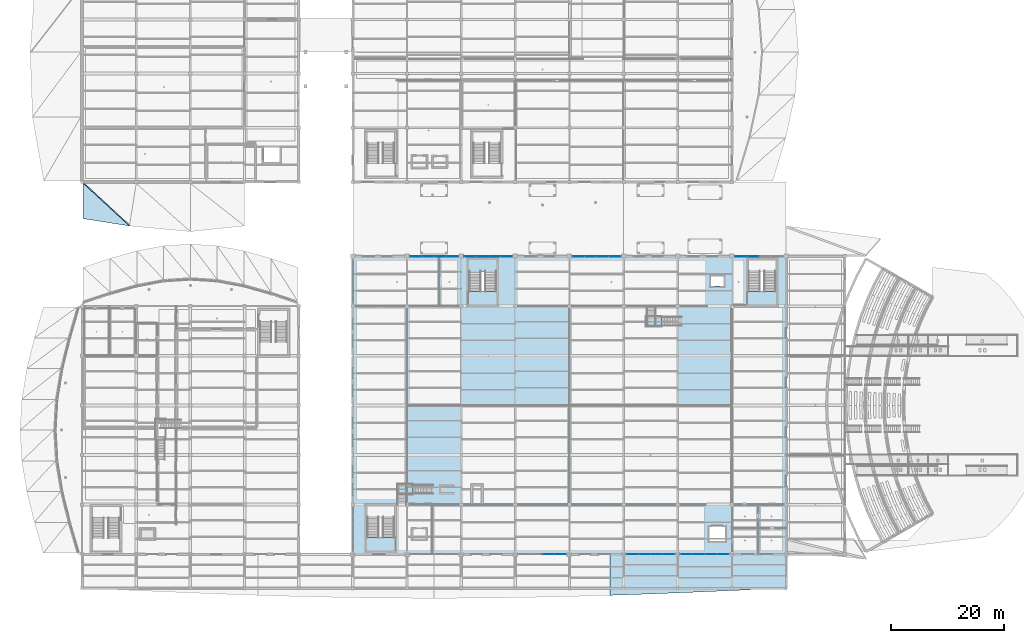
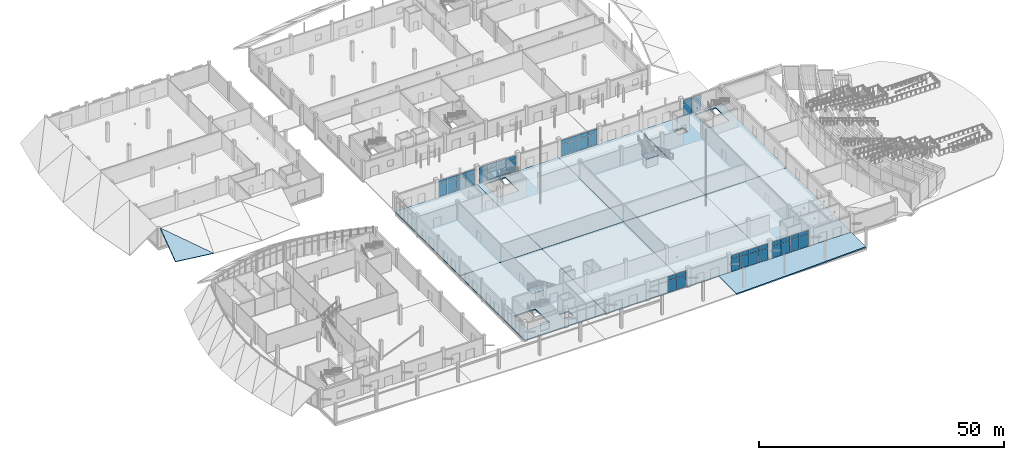
# One storey, part 67 of 116: 48 plates, 13 slabs, 10 elements without a shape of their own.
"""IFC4 building model written with IfcOpenShell, lengths in metres."""

import ifcopenshell
import ifcopenshell.guid

model = None  # the IFC model being written
_history = None  # IfcOwnerHistory: only IFC2X3 demands one
_inside = {}  # id of a spatial element -> (the spatial element, [elements in it])
_under = {}  # id of a project, library or spatial element -> (it, [spatial elements below it])
_declared = {}  # id of a project -> (the project, [libraries it declares])
_typed = {}  # id of a type object -> (the type object, [elements of that type])
_made_of = {}  # id of a material, layer set ... -> (it, [elements and type objects made of it])


def new_model(schema):
    """Start an empty IFC model of exactly this schema.

    Asked for "IFC4X3", IfcOpenShell would pick the latest addendum, in which some entities
    have other attributes; the version numbers below select the first issue.
    IFC2X3 requires an IfcOwnerHistory on every rooted entity: one is made here for all.
    """
    global model, _history
    if schema == "IFC4X3":
        model = ifcopenshell.file(schema_version=(4, 3, 0, 0))
    else:
        model = ifcopenshell.file(schema=schema)
    _inside.clear()
    _under.clear()
    _declared.clear()
    _typed.clear()
    _made_of.clear()
    _history = None
    if model.schema == "IFC2X3":
        org = make("IfcOrganization", Name="unknown")
        user = make(
            "IfcPersonAndOrganization",
            ThePerson=make("IfcPerson", FamilyName="unknown"),
            TheOrganization=org,
        )
        app = make(
            "IfcApplication",
            ApplicationDeveloper=org,
            Version="unknown",
            ApplicationFullName="unknown",
            ApplicationIdentifier="unknown",
        )
        _history = make(
            "IfcOwnerHistory",
            OwningUser=user,
            OwningApplication=app,
            ChangeAction="ADDED",
            CreationDate=0,
        )
    return model


def make(cls, **values):
    """One entity of the class cls with the attributes given. An attribute that is None is left unset."""
    return model.create_entity(
        cls, **{name: value for name, value in values.items() if value is not None}
    )


def rooted(cls, **values):
    """An entity with a GlobalId (a new one), such as an element, a storey or a relation."""
    return make(cls, GlobalId=ifcopenshell.guid.new(), OwnerHistory=_history, **values)


def si_unit(unit_type, name, prefix=None):
    """IfcSIUnit, for example si_unit("LENGTHUNIT", "METRE", prefix="MILLI")."""
    return make("IfcSIUnit", UnitType=unit_type, Prefix=prefix, Name=name)


def assignment(units):
    """IfcUnitAssignment: the units of a project."""
    return None if units is None else make("IfcUnitAssignment", Units=units)


def point(xyz):
    """IfcCartesianPoint."""
    return None if xyz is None else make("IfcCartesianPoint", Coordinates=xyz)


def direction(xyz):
    """IfcDirection."""
    return None if xyz is None else make("IfcDirection", DirectionRatios=xyz)


def frame(location, z_axis=None, x_axis=None):
    """IfcAxis2Placement3D, a coordinate frame: its origin and axes. An axis left out is left unset."""
    return make(
        "IfcAxis2Placement3D",
        Location=point(location),
        Axis=direction(z_axis),
        RefDirection=direction(x_axis),
    )


def frame_2d(location, x_axis=None):
    """IfcAxis2Placement2D, a coordinate frame in the plane: its origin and x axis."""
    return make(
        "IfcAxis2Placement2D", Location=point(location), RefDirection=direction(x_axis)
    )


def origin():
    """The frame at (0, 0, 0) with its axes left unset."""
    return frame((0.0, 0.0, 0.0))


def origin_2d():
    """The frame at (0, 0) in the plane with its x axis left unset."""
    return frame_2d((0.0, 0.0))


def place(relative_to, where):
    """IfcLocalPlacement: puts the frame where relative to a parent placement (None: the world)."""
    return make(
        "IfcLocalPlacement", PlacementRelTo=relative_to, RelativePlacement=where
    )


def context(
    kind, dimensions, precision=None, world=None, true_north=None, identifier=None
):
    """IfcGeometricRepresentationContext, for example the 3D "Model" context."""
    return make(
        "IfcGeometricRepresentationContext",
        ContextIdentifier=identifier,
        ContextType=kind,
        CoordinateSpaceDimension=dimensions,
        Precision=precision,
        WorldCoordinateSystem=world,
        TrueNorth=true_north,
    )


def subcontext(parent, identifier, kind, view, scale=None):
    """IfcGeometricRepresentationSubContext, for example "Body" below "Model"."""
    return make(
        "IfcGeometricRepresentationSubContext",
        ContextIdentifier=identifier,
        ContextType=kind,
        ParentContext=parent,
        TargetScale=scale,
        TargetView=view,
    )


def project(units=None, contexts=None):
    """IfcProject with its units and contexts."""
    return rooted(
        "IfcProject",
        Name="project",
        RepresentationContexts=contexts,
        UnitsInContext=assignment(units),
    )


def spatial(cls, under=None, at=None, **own):
    """A site, building, storey or space (cls), placed at a placement, below another one or the project."""
    s = rooted(cls, ObjectPlacement=at, **own)
    if under is not None:
        _under.setdefault(under.id(), (under, []))[1].append(s)
    return s


def polyline(points):
    """IfcPolyline through the points."""
    return make("IfcPolyline", Points=[point(p) for p in points])


def profile(cls, at=None, kind="AREA", **sizes):
    """A parametric profile (cls). Its sizes go by their IFC names, for example OverallWidth=200.0."""
    return make(cls, ProfileType=kind, Position=at, **sizes)


def rectangle(**sizes):
    """IfcRectangleProfileDef."""
    return profile("IfcRectangleProfileDef", **sizes)


def outline(outer, holes=None, kind="AREA"):
    """IfcArbitraryClosedProfileDef: a profile drawn as a closed curve; with holes, ...WithVoids."""
    if holes is None:
        return make("IfcArbitraryClosedProfileDef", ProfileType=kind, OuterCurve=outer)
    return make(
        "IfcArbitraryProfileDefWithVoids",
        ProfileType=kind,
        OuterCurve=outer,
        InnerCurves=holes,
    )


def extrude(swept, where, along, depth):
    """IfcExtrudedAreaSolid: the profile swept, set in the frame where, extruded along a direction by depth."""
    return make(
        "IfcExtrudedAreaSolid",
        SweptArea=swept,
        Position=where,
        ExtrudedDirection=direction(along),
        Depth=depth,
    )


def shape(context_of_items, identifier, shape_type, items):
    """IfcShapeRepresentation: the items that make up one representation, for example the "Body"."""
    return make(
        "IfcShapeRepresentation",
        ContextOfItems=context_of_items,
        RepresentationIdentifier=identifier,
        RepresentationType=shape_type,
        Items=items,
    )


def material(Name=None, Category=None):
    """IfcMaterial."""
    return make("IfcMaterial", Name=Name, Category=Category)


def layer(
    of_material, thickness, ventilated=None, Name=None, Category=None, Priority=None
):
    """IfcMaterialLayer: one layer of a wall or slab, of a material (None: an air gap)."""
    return make(
        "IfcMaterialLayer",
        Material=of_material,
        LayerThickness=thickness,
        IsVentilated=ventilated,
        Name=Name,
        Category=Category,
        Priority=Priority,
    )


def layer_set(layers, Name=None):
    """IfcMaterialLayerSet."""
    return make("IfcMaterialLayerSet", MaterialLayers=layers, LayerSetName=Name)


def made_of(thing, what):
    """Note that an element or type object is made of a material, layer set ...; save() writes the relation."""
    if what is not None:
        _made_of.setdefault(what.id(), (what, []))[1].append(thing)
    return thing


def type_object(cls, material=None, **own):
    """A type object (cls), such as IfcWallType, which elements share."""
    return made_of(rooted(cls, **own), material)


def element(
    cls,
    number,
    at=None,
    inside=None,
    cuts=None,
    type_object=None,
    material=None,
    context=None,
    identifier="Body",
    shape_type=None,
    held_by="IfcProductDefinitionShape",
    body=None,
    shapes=None,
    **own,
):
    """One element of the class cls, such as IfcWall. Its Tag is "e" and its number.

    at: its placement. inside: the storey or other place that contains it. cuts: it is an
    opening in that element (IfcRelVoidsElement). A single representation is given by context,
    identifier, shape_type and body (its items); several are given by shapes. held_by: the class
    of the entity that holds the representations. save() writes the other relations.
    """
    e = rooted(cls, Tag="e%d" % number, ObjectPlacement=at, **own)
    if body is not None:
        shapes = [shape(context, identifier, shape_type, body)]
    if shapes is not None:
        e.Representation = make(held_by, Representations=shapes)
    if inside is not None:
        _inside.setdefault(inside.id(), (inside, []))[1].append(e)
    if cuts is not None:
        rooted(
            "IfcRelVoidsElement", RelatingBuildingElement=cuts, RelatedOpeningElement=e
        )
    if type_object is not None:
        _typed.setdefault(type_object.id(), (type_object, []))[1].append(e)
    return made_of(e, material)


def aggregate(whole, parts):
    """IfcRelAggregates: a whole, such as a stair, and the parts it consists of."""
    return rooted("IfcRelAggregates", RelatingObject=whole, RelatedObjects=parts)


def save(model, path):
    """Write the relations noted so far, then the file.

    IfcRelAggregates (storeys below a building ...), IfcRelContainedInSpatialStructure (elements
    in a storey), IfcRelDefinesByType, IfcRelAssociatesMaterial and IfcRelDeclares: one each for
    every whole, place, type object, material and project.
    """
    for whole, parts in _under.values():
        aggregate(whole, parts)
    for where, things in _inside.values():
        rooted(
            "IfcRelContainedInSpatialStructure",
            RelatedElements=things,
            RelatingStructure=where,
        )
    for kind, things in _typed.values():
        rooted("IfcRelDefinesByType", RelatedObjects=things, RelatingType=kind)
    for what, things in _made_of.values():
        rooted("IfcRelAssociatesMaterial", RelatedObjects=things, RelatingMaterial=what)
    for by, libraries in _declared.values():
        rooted("IfcRelDeclares", RelatingContext=by, RelatedDefinitions=libraries)
    model.write(path)


model = new_model("IFC4")

# Units and contexts
model_context = context("Model", 3, precision=1e-05, world=origin(), true_north=direction((0.0, 1.0)))
body_context = subcontext(model_context, "Body", "Model", "MODEL_VIEW")
ifc_project = project(units=[si_unit("LENGTHUNIT", "METRE"), si_unit("AREAUNIT", "SQUARE_METRE"), si_unit("VOLUMEUNIT", "CUBIC_METRE"), si_unit("PLANEANGLEUNIT", "RADIAN"), si_unit("MASSUNIT", "GRAM", prefix="KILO")], contexts=[model_context])

# Site, building, storey
site_placement = place(None, origin())
site = spatial("IfcSite", under=ifc_project, at=site_placement, CompositionType="ELEMENT")
building_placement = place(site_placement, origin())
building = spatial("IfcBuilding", under=site, at=building_placement, Name="Chalmorin Arch Market", CompositionType="ELEMENT")
storey_placement = place(building_placement, origin())
storey = spatial("IfcBuildingStorey", under=building, at=storey_placement, Name="L00", CompositionType="ELEMENT", Elevation=0.0)

# Slabs
ifc_material_1 = material(Name="Concrete C40/50", Category="concrete")
ifc_layer_1 = layer(ifc_material_1, 0.340087890625)
ifc_layer_set_1 = layer_set([ifc_layer_1], Name="Concrete C40/50")
slab_type_1 = type_object("IfcSlabType", Name="GreenMoundDeckSlab-340", PredefinedType="FLOOR", material=ifc_layer_set_1)
slab_1_placement = place(storey_placement, frame((0.199951171875, 71.75, 4.780029296875), z_axis=(-0.093567142402, -0.590167063262, 0.801840400144), x_axis=(0.0, -0.805373596725, -0.592767551152)))
element("IfcSlab", 1, at=slab_1_placement, inside=storey, type_object=slab_type_1, Name="ETS-340-634", PredefinedType="FLOOR", context=body_context, shape_type="SweptSolid", body=[
    extrude(outline(polyline([(0.0, 0.0), (7.76037360228467, 5.551115123125783e-17), (8.80739860290953, 8.236083099672435), (0.0, 0.0)])), origin(), (0.0, 0.0, -1.0), 0.340087890625),
])
ifc_layer_2 = layer(ifc_material_1, 0.300048828125)
ifc_layer_set_2 = layer_set([ifc_layer_2], Name="Concrete C40/50")
slab_type_2 = type_object("IfcSlabType", Name="OutdoorPlazaBaseSlab-300", PredefinedType="BASESLAB", material=ifc_layer_set_2)
slab_2_placement = place(storey_placement, frame((0.0, 0.0, -0.300048828125)))
element("IfcSlab", 2, at=slab_2_placement, inside=storey, type_object=slab_type_2, Name="EBS-300-055", PredefinedType="BASESLAB", context=body_context, shape_type="SweptSolid", body=[
    extrude(outline(polyline([(93.610107421875, -1.27197265625), (97.507080078125, -1.14208984375), (101.405029296875, -1.0), (105.302978515625, -0.847900390625), (109.199951171875, -0.68896484375), (113.096923828125, -0.52294921875), (116.9951171875, -0.35107421875), (120.89306640625, -0.177001953125), (124.7900390625, 0.0), (124.7900390625, 5.97998046875), (93.610107421875, 5.97998046875), (93.610107421875, -1.27197265625)])), origin(), (0.0, 0.0, 1.0), 0.300048828125),
])

# Curtain wall, plates
ifc_material_2 = material(Name="Aluminium 6063-T6", Category="aluminium")
ifc_layer_3 = layer(ifc_material_2, 0.159912109375)
ifc_layer_set_3 = layer_set([ifc_layer_3], Name="Aluminium 6063-T6")
curtain_wall_type_1 = type_object("IfcCurtainWallType", Name="RiverfrontStorefrontCurtainWall-CW2-8580x4080", PredefinedType="NOTDEFINED", material=ifc_layer_set_3)
curtain_wall_1_placement = place(storey_placement, origin())
curtain_wall_1 = element("IfcCurtainWall", 3, at=curtain_wall_1_placement, inside=storey, type_object=curtain_wall_type_1, Name="CW-02-005", PredefinedType="NOTDEFINED")
ifc_material_3 = material(Name="Powder-coated Aluminium Panel", Category="aluminium")
ifc_layer_4 = layer(ifc_material_3, 0.0400390625)
ifc_layer_set_4 = layer_set([ifc_layer_4], Name="Powder-coated Aluminium Panel")
plate_type_1 = type_object("IfcPlateType", Name="ShadowboxSpandrelPanel-40", PredefinedType="CURTAIN_PANEL", material=ifc_layer_set_4)
plate_1_placement = place(storey_placement, frame((59.1826171875, 58.800048828125, 2.979736328125), z_axis=(0.0, 0.0, 1.0), x_axis=(1.0, 0.0, 0.0)))
plate_1 = element("IfcPlate", 4, at=plate_1_placement, type_object=plate_type_1, Name="SP-40-005-01B", PredefinedType="CURTAIN_PANEL", context=body_context, shape_type="SweptSolid", body=[
    extrude(rectangle(XDim=2.06494140625, YDim=0.0400390625, at=origin_2d()), origin(), (0.0, 0.0, 1.0), 1.0263671875),
])
plate_2_placement = place(storey_placement, frame((61.327392578125, 58.800048828125, 2.979736328125), z_axis=(0.0, 0.0, 1.0), x_axis=(1.0, 0.0, 0.0)))
plate_2 = element("IfcPlate", 5, at=plate_2_placement, type_object=plate_type_1, Name="SP-40-005-02B", PredefinedType="CURTAIN_PANEL", context=body_context, shape_type="SweptSolid", body=[
    extrude(rectangle(XDim=2.06494140625, YDim=0.0400390625, at=origin_2d()), origin(), (0.0, 0.0, 1.0), 1.0263671875),
])
plate_3_placement = place(storey_placement, frame((63.472412109375, 58.800048828125, 2.979736328125), z_axis=(0.0, 0.0, 1.0), x_axis=(1.0, 0.0, 0.0)))
plate_3 = element("IfcPlate", 6, at=plate_3_placement, type_object=plate_type_1, Name="SP-40-005-03B", PredefinedType="CURTAIN_PANEL", context=body_context, shape_type="SweptSolid", body=[
    extrude(rectangle(XDim=2.06494140625, YDim=0.0400390625, at=origin_2d()), origin(), (0.0, 0.0, 1.0), 1.0263671875),
])
plate_4_placement = place(storey_placement, frame((65.617431640625, 58.800048828125, 2.979736328125), z_axis=(0.0, 0.0, 1.0), x_axis=(1.0, 0.0, 0.0)))
plate_4 = element("IfcPlate", 7, at=plate_4_placement, type_object=plate_type_1, Name="SP-40-005-04B", PredefinedType="CURTAIN_PANEL", context=body_context, shape_type="SweptSolid", body=[
    extrude(rectangle(XDim=2.06494140625, YDim=0.0400390625, at=origin_2d()), origin(), (0.0, 0.0, 1.0), 1.0263671875),
])

curtain_wall_2_placement = place(storey_placement, origin())
curtain_wall_2 = element("IfcCurtainWall", 8, at=curtain_wall_2_placement, inside=storey, type_object=curtain_wall_type_1, Name="CW-02-008", PredefinedType="NOTDEFINED")
plate_5_placement = place(storey_placement, frame((68.782470703125, 58.800048828125, 2.979736328125), z_axis=(0.0, 0.0, 1.0), x_axis=(1.0, 0.0, 0.0)))
plate_5 = element("IfcPlate", 9, at=plate_5_placement, type_object=plate_type_1, Name="SP-40-008-01B", PredefinedType="CURTAIN_PANEL", context=body_context, shape_type="SweptSolid", body=[
    extrude(rectangle(XDim=2.06494140625, YDim=0.0400390625, at=origin_2d()), origin(), (0.0, 0.0, 1.0), 1.0263671875),
])
plate_6_placement = place(storey_placement, frame((70.927490234375, 58.800048828125, 2.979736328125), z_axis=(0.0, 0.0, 1.0), x_axis=(1.0, 0.0, 0.0)))
plate_6 = element("IfcPlate", 10, at=plate_6_placement, type_object=plate_type_1, Name="SP-40-008-02B", PredefinedType="CURTAIN_PANEL", context=body_context, shape_type="SweptSolid", body=[
    extrude(rectangle(XDim=2.06494140625, YDim=0.0400390625, at=origin_2d()), origin(), (0.0, 0.0, 1.0), 1.0263671875),
])
plate_7_placement = place(storey_placement, frame((73.072509765625, 58.800048828125, 2.979736328125), z_axis=(0.0, 0.0, 1.0), x_axis=(1.0, 0.0, 0.0)))
plate_7 = element("IfcPlate", 11, at=plate_7_placement, type_object=plate_type_1, Name="SP-40-008-03B", PredefinedType="CURTAIN_PANEL", context=body_context, shape_type="SweptSolid", body=[
    extrude(rectangle(XDim=2.06494140625, YDim=0.0400390625, at=origin_2d()), origin(), (0.0, 0.0, 1.0), 1.0263671875),
])
plate_8_placement = place(storey_placement, frame((75.217529296875, 58.800048828125, 2.979736328125), z_axis=(0.0, 0.0, 1.0), x_axis=(1.0, 0.0, 0.0)))
plate_8 = element("IfcPlate", 12, at=plate_8_placement, type_object=plate_type_1, Name="SP-40-008-04B", PredefinedType="CURTAIN_PANEL", context=body_context, shape_type="SweptSolid", body=[
    extrude(rectangle(XDim=2.06494140625, YDim=0.0400390625, at=origin_2d()), origin(), (0.0, 0.0, 1.0), 1.0263671875),
])

curtain_wall_3_placement = place(storey_placement, origin())
curtain_wall_3 = element("IfcCurtainWall", 13, at=curtain_wall_3_placement, inside=storey, type_object=curtain_wall_type_1, Name="CW-02-010", PredefinedType="NOTDEFINED")
plate_9_placement = place(storey_placement, frame((82.672607421875, 6.0, 2.979736328125), z_axis=(0.0, 0.0, 1.0), x_axis=(1.0, 0.0, 0.0)))
plate_9 = element("IfcPlate", 14, at=plate_9_placement, type_object=plate_type_1, Name="SP-40-010-03B", PredefinedType="CURTAIN_PANEL", context=body_context, shape_type="SweptSolid", body=[
    extrude(rectangle(XDim=2.06494140625, YDim=0.0400390625, at=origin_2d()), origin(), (0.0, 0.0, 1.0), 1.0263671875),
])
plate_10_placement = place(storey_placement, frame((84.8173828125, 6.0, 2.979736328125), z_axis=(0.0, 0.0, 1.0), x_axis=(1.0, 0.0, 0.0)))
plate_10 = element("IfcPlate", 15, at=plate_10_placement, type_object=plate_type_1, Name="SP-40-010-04B", PredefinedType="CURTAIN_PANEL", context=body_context, shape_type="SweptSolid", body=[
    extrude(rectangle(XDim=2.06494140625, YDim=0.0400390625, at=origin_2d()), origin(), (0.0, 0.0, 1.0), 1.0263671875),
])

curtain_wall_4_placement = place(storey_placement, origin())
curtain_wall_4 = element("IfcCurtainWall", 16, at=curtain_wall_4_placement, inside=storey, type_object=curtain_wall_type_1, Name="CW-02-014", PredefinedType="NOTDEFINED")
plate_11_placement = place(storey_placement, frame((87.982421875, 58.800048828125, 2.979736328125), z_axis=(0.0, 0.0, 1.0), x_axis=(1.0, 0.0, 0.0)))
plate_11 = element("IfcPlate", 17, at=plate_11_placement, type_object=plate_type_1, Name="SP-40-014-01B", PredefinedType="CURTAIN_PANEL", context=body_context, shape_type="SweptSolid", body=[
    extrude(rectangle(XDim=2.06494140625, YDim=0.0400390625, at=origin_2d()), origin(), (0.0, 0.0, 1.0), 1.0263671875),
])
plate_12_placement = place(storey_placement, frame((90.12744140625, 58.800048828125, 2.979736328125), z_axis=(0.0, 0.0, 1.0), x_axis=(1.0, 0.0, 0.0)))
plate_12 = element("IfcPlate", 18, at=plate_12_placement, type_object=plate_type_1, Name="SP-40-014-02B", PredefinedType="CURTAIN_PANEL", context=body_context, shape_type="SweptSolid", body=[
    extrude(rectangle(XDim=2.06494140625, YDim=0.0400390625, at=origin_2d()), origin(), (0.0, 0.0, 1.0), 1.0263671875),
])
plate_13_placement = place(storey_placement, frame((92.2724609375, 58.800048828125, 2.979736328125), z_axis=(0.0, 0.0, 1.0), x_axis=(1.0, 0.0, 0.0)))
plate_13 = element("IfcPlate", 19, at=plate_13_placement, type_object=plate_type_1, Name="SP-40-014-03B", PredefinedType="CURTAIN_PANEL", context=body_context, shape_type="SweptSolid", body=[
    extrude(rectangle(XDim=2.06494140625, YDim=0.0400390625, at=origin_2d()), origin(), (0.0, 0.0, 1.0), 1.0263671875),
])
plate_14_placement = place(storey_placement, frame((94.41748046875, 58.800048828125, 2.979736328125), z_axis=(0.0, 0.0, 1.0), x_axis=(1.0, 0.0, 0.0)))
plate_14 = element("IfcPlate", 20, at=plate_14_placement, type_object=plate_type_1, Name="SP-40-014-04B", PredefinedType="CURTAIN_PANEL", context=body_context, shape_type="SweptSolid", body=[
    extrude(rectangle(XDim=2.06494140625, YDim=0.0400390625, at=origin_2d()), origin(), (0.0, 0.0, 1.0), 1.0263671875),
])

curtain_wall_5_placement = place(storey_placement, origin())
curtain_wall_5 = element("IfcCurtainWall", 21, at=curtain_wall_5_placement, inside=storey, type_object=curtain_wall_type_1, Name="CW-02-016", PredefinedType="NOTDEFINED")
plate_15_placement = place(storey_placement, frame((97.58251953125, 6.0, 2.979736328125), z_axis=(0.0, 0.0, 1.0), x_axis=(1.0, 0.0, 0.0)))
plate_15 = element("IfcPlate", 22, at=plate_15_placement, type_object=plate_type_1, Name="SP-40-016-01B", PredefinedType="CURTAIN_PANEL", context=body_context, shape_type="SweptSolid", body=[
    extrude(rectangle(XDim=2.06494140625, YDim=0.0400390625, at=origin_2d()), origin(), (0.0, 0.0, 1.0), 1.0263671875),
])
plate_16_placement = place(storey_placement, frame((99.7275390625, 6.0, 2.979736328125), z_axis=(0.0, 0.0, 1.0), x_axis=(1.0, 0.0, 0.0)))
plate_16 = element("IfcPlate", 23, at=plate_16_placement, type_object=plate_type_1, Name="SP-40-016-02B", PredefinedType="CURTAIN_PANEL", context=body_context, shape_type="SweptSolid", body=[
    extrude(rectangle(XDim=2.06494140625, YDim=0.0400390625, at=origin_2d()), origin(), (0.0, 0.0, 1.0), 1.0263671875),
])
plate_17_placement = place(storey_placement, frame((101.87255859375, 6.0, 2.979736328125), z_axis=(0.0, 0.0, 1.0), x_axis=(1.0, 0.0, 0.0)))
plate_17 = element("IfcPlate", 24, at=plate_17_placement, type_object=plate_type_1, Name="SP-40-016-03B", PredefinedType="CURTAIN_PANEL", context=body_context, shape_type="SweptSolid", body=[
    extrude(rectangle(XDim=2.06494140625, YDim=0.0400390625, at=origin_2d()), origin(), (0.0, 0.0, 1.0), 1.0263671875),
])
plate_18_placement = place(storey_placement, frame((104.017578125, 6.0, 2.979736328125), z_axis=(0.0, 0.0, 1.0), x_axis=(1.0, 0.0, 0.0)))
plate_18 = element("IfcPlate", 25, at=plate_18_placement, type_object=plate_type_1, Name="SP-40-016-04B", PredefinedType="CURTAIN_PANEL", context=body_context, shape_type="SweptSolid", body=[
    extrude(rectangle(XDim=2.06494140625, YDim=0.0400390625, at=origin_2d()), origin(), (0.0, 0.0, 1.0), 1.0263671875),
])

curtain_wall_6_placement = place(storey_placement, origin())
curtain_wall_6 = element("IfcCurtainWall", 26, at=curtain_wall_6_placement, inside=storey, type_object=curtain_wall_type_1, Name="CW-02-019", PredefinedType="NOTDEFINED")
plate_19_placement = place(storey_placement, frame((107.1826171875, 6.0, 2.979736328125), z_axis=(0.0, 0.0, 1.0), x_axis=(1.0, 0.0, 0.0)))
plate_19 = element("IfcPlate", 27, at=plate_19_placement, type_object=plate_type_1, Name="SP-40-019-01B", PredefinedType="CURTAIN_PANEL", context=body_context, shape_type="SweptSolid", body=[
    extrude(rectangle(XDim=2.06494140625, YDim=0.0400390625, at=origin_2d()), origin(), (0.0, 0.0, 1.0), 1.0263671875),
])
plate_20_placement = place(storey_placement, frame((109.327392578125, 6.0, 2.979736328125), z_axis=(0.0, 0.0, 1.0), x_axis=(1.0, 0.0, 0.0)))
plate_20 = element("IfcPlate", 28, at=plate_20_placement, type_object=plate_type_1, Name="SP-40-019-02B", PredefinedType="CURTAIN_PANEL", context=body_context, shape_type="SweptSolid", body=[
    extrude(rectangle(XDim=2.06494140625, YDim=0.0400390625, at=origin_2d()), origin(), (0.0, 0.0, 1.0), 1.0263671875),
])
plate_21_placement = place(storey_placement, frame((111.472412109375, 6.0, 2.979736328125), z_axis=(0.0, 0.0, 1.0), x_axis=(1.0, 0.0, 0.0)))
plate_21 = element("IfcPlate", 29, at=plate_21_placement, type_object=plate_type_1, Name="SP-40-019-03B", PredefinedType="CURTAIN_PANEL", context=body_context, shape_type="SweptSolid", body=[
    extrude(rectangle(XDim=2.06494140625, YDim=0.0400390625, at=origin_2d()), origin(), (0.0, 0.0, 1.0), 1.0263671875),
])
plate_22_placement = place(storey_placement, frame((113.617431640625, 6.0, 2.979736328125), z_axis=(0.0, 0.0, 1.0), x_axis=(1.0, 0.0, 0.0)))
plate_22 = element("IfcPlate", 30, at=plate_22_placement, type_object=plate_type_1, Name="SP-40-019-04B", PredefinedType="CURTAIN_PANEL", context=body_context, shape_type="SweptSolid", body=[
    extrude(rectangle(XDim=2.06494140625, YDim=0.0400390625, at=origin_2d()), origin(), (0.0, 0.0, 1.0), 1.0263671875),
])

ifc_layer_5 = layer(ifc_material_2, 0.159912109375)
ifc_layer_set_5 = layer_set([ifc_layer_5], Name="Aluminium 6063-T6")
curtain_wall_type_2 = type_object("IfcCurtainWallType", Name="RiverfrontStorefrontCurtainWall-CW2-8580x3990", PredefinedType="NOTDEFINED", material=ifc_layer_set_5)
curtain_wall_7_placement = place(storey_placement, origin())
curtain_wall_7 = element("IfcCurtainWall", 31, at=curtain_wall_7_placement, inside=storey, type_object=curtain_wall_type_2, Name="CW-02-023", PredefinedType="NOTDEFINED")
plate_23_placement = place(storey_placement, frame((116.782470703125, 58.800048828125, 2.91455078125), z_axis=(0.0, 0.0, 1.0), x_axis=(1.0, 0.0, 0.0)))
plate_23 = element("IfcPlate", 32, at=plate_23_placement, type_object=plate_type_1, Name="SP-40-023-01B", PredefinedType="CURTAIN_PANEL", context=body_context, shape_type="SweptSolid", body=[
    extrude(rectangle(XDim=2.06494140625, YDim=0.0400390625, at=origin_2d()), origin(), (0.0, 0.0, 1.0), 1.001220703125),
])
plate_24_placement = place(storey_placement, frame((118.927490234375, 58.800048828125, 2.91455078125), z_axis=(0.0, 0.0, 1.0), x_axis=(1.0, 0.0, 0.0)))
plate_24 = element("IfcPlate", 33, at=plate_24_placement, type_object=plate_type_1, Name="SP-40-023-02B", PredefinedType="CURTAIN_PANEL", context=body_context, shape_type="SweptSolid", body=[
    extrude(rectangle(XDim=2.06494140625, YDim=0.0400390625, at=origin_2d()), origin(), (0.0, 0.0, 1.0), 1.001220703125),
])

# Stair, slab
stair_type_1 = type_object("IfcStairType", Name="DoglegExitStair-28R-SC8", PredefinedType="HALF_TURN_STAIR", material=ifc_material_1)
stair_1_placement = place(storey_placement, origin())
stair_1 = element("IfcStair", 34, at=stair_1_placement, inside=storey, type_object=stair_type_1, Name="ST-24", PredefinedType="HALF_TURN_STAIR")
ifc_layer_6 = layer(ifc_material_1, 0.195068359375)
ifc_layer_set_6 = layer_set([ifc_layer_6], Name="Concrete C40/50")
slab_type_3 = type_object("IfcSlabType", Name="StairLandingSlab-195", PredefinedType="LANDING", material=ifc_layer_set_6)
slab_3_placement = place(storey_placement, frame((0.0, 0.0, 2.205078125)))
slab_3 = element("IfcSlab", 35, at=slab_3_placement, type_object=slab_type_3, Name="LS-024", PredefinedType="LANDING", context=body_context, shape_type="SweptSolid", body=[
    extrude(outline(polyline([(68.52001953125, 56.159912109375), (73.580078125, 56.159912109375), (73.580078125, 58.22998046875), (68.52001953125, 58.22998046875), (68.52001953125, 56.159912109375)])), origin(), (0.0, 0.0, 1.0), 0.19482421875),
])
aggregate(stair_1, [slab_3])

ifc_material_4 = material(Name="Steel A992 Grade 50", Category="steel")
stair_type_2 = type_object("IfcStairType", Name="GalleryFeatureStair-Steel", PredefinedType="QUARTER_TURN_STAIR", material=ifc_material_4)
stair_2_placement = place(storey_placement, origin())
stair_2 = element("IfcStair", 36, at=stair_2_placement, inside=storey, type_object=stair_type_2, Name="ST-26", PredefinedType="QUARTER_TURN_STAIR")
slab_4_placement = place(storey_placement, frame((0.0, 0.0, 2.205078125)))
slab_4 = element("IfcSlab", 37, at=slab_4_placement, type_object=slab_type_3, Name="LS-026", PredefinedType="LANDING", context=body_context, shape_type="SweptSolid", body=[
    extrude(outline(polyline([(55.800048828125, 16.550048828125), (58.6201171875, 16.550048828125), (58.6201171875, 18.5), (55.800048828125, 18.5), (55.800048828125, 16.550048828125)])), origin(), (0.0, 0.0, 1.0), 0.19482421875),
])
aggregate(stair_2, [slab_4])

stair_3_placement = place(storey_placement, origin())
stair_3 = element("IfcStair", 38, at=stair_3_placement, inside=storey, type_object=stair_type_2, Name="ST-27", PredefinedType="QUARTER_TURN_STAIR")
slab_5_placement = place(storey_placement, frame((0.0, 0.0, 2.205078125)))
slab_5 = element("IfcSlab", 39, at=slab_5_placement, type_object=slab_type_3, Name="LS-027", PredefinedType="LANDING", context=body_context, shape_type="SweptSolid", body=[
    extrude(outline(polyline([(99.89990234375, 46.300048828125), (102.719970703125, 46.300048828125), (102.719970703125, 48.25), (99.89990234375, 48.25), (99.89990234375, 46.300048828125)])), origin(), (0.0, 0.0, 1.0), 0.19482421875),
])
aggregate(stair_3, [slab_5])

# Slabs
ifc_layer_7 = layer(ifc_material_1, 0.280029296875)
ifc_layer_set_7 = layer_set([ifc_layer_7], Name="Concrete C40/50")
slab_type_4 = type_object("IfcSlabType", Name="SuspendedFloorSlab-280", PredefinedType="FLOOR", material=ifc_layer_set_7)
slab_6_placement = place(storey_placement, frame((0.0, 0.0, -0.280029296875)))
element("IfcSlab", 40, at=slab_6_placement, inside=storey, type_object=slab_type_4, Name="FS-280-025", PredefinedType="FLOOR", context=body_context, shape_type="SweptSolid", body=[
    extrude(outline(polyline([(48.010009765625, 6.010009765625), (67.18994140625, 6.010009765625), (67.18994140625, 32.389892578125), (48.010009765625, 32.389892578125), (48.010009765625, 6.010009765625)]), holes=[polyline([(50.5, 9.0), (55.39990234375, 9.0), (55.39990234375, 14.550048828125), (50.5, 14.550048828125), (50.5, 9.0)]), polyline([(58.64990234375, 8.72509765625), (60.949951171875, 8.72509765625), (60.949951171875, 10.47509765625), (58.64990234375, 10.47509765625), (58.64990234375, 8.72509765625)])]), origin(), (0.0, 0.0, 1.0), 0.280029296875),
])
slab_7_placement = place(storey_placement, frame((0.0, 0.0, -0.280029296875)))
element("IfcSlab", 41, at=slab_7_placement, inside=storey, type_object=slab_type_4, Name="FS-280-026", PredefinedType="FLOOR", context=body_context, shape_type="SweptSolid", body=[
    extrude(outline(polyline([(48.010009765625, 32.409912109375), (67.18994140625, 32.409912109375), (67.18994140625, 58.800048828125), (48.010009765625, 58.800048828125), (48.010009765625, 32.409912109375)])), origin(), (0.0, 0.0, 1.0), 0.280029296875),
])
slab_8_placement = place(storey_placement, frame((0.0, 0.0, -0.280029296875)))
element("IfcSlab", 42, at=slab_8_placement, inside=storey, type_object=slab_type_4, Name="FS-280-027", PredefinedType="FLOOR", context=body_context, shape_type="SweptSolid", body=[
    extrude(outline(polyline([(67.2099609375, 6.010009765625), (86.389892578125, 6.010009765625), (86.389892578125, 32.389892578125), (67.2099609375, 32.389892578125), (67.2099609375, 6.010009765625)])), origin(), (0.0, 0.0, 1.0), 0.280029296875),
])
slab_9_placement = place(storey_placement, frame((0.0, 0.0, -0.280029296875)))
element("IfcSlab", 43, at=slab_9_placement, inside=storey, type_object=slab_type_4, Name="FS-280-028", PredefinedType="FLOOR", context=body_context, shape_type="SweptSolid", body=[
    extrude(outline(polyline([(67.2099609375, 32.409912109375), (86.389892578125, 32.409912109375), (86.389892578125, 58.800048828125), (67.2099609375, 58.800048828125), (67.2099609375, 32.409912109375)]), holes=[polyline([(68.60009765625, 52.60009765625), (73.5, 52.60009765625), (73.5, 58.14990234375), (68.60009765625, 58.14990234375), (68.60009765625, 52.60009765625)])]), origin(), (0.0, 0.0, 1.0), 0.280029296875),
])
slab_10_placement = place(storey_placement, frame((0.0, 0.0, -0.280029296875)))
element("IfcSlab", 44, at=slab_10_placement, inside=storey, type_object=slab_type_4, Name="FS-280-029", PredefinedType="FLOOR", context=body_context, shape_type="SweptSolid", body=[
    extrude(outline(polyline([(86.409912109375, 6.010009765625), (105.590087890625, 6.010009765625), (105.590087890625, 32.389892578125), (86.409912109375, 32.389892578125), (86.409912109375, 6.010009765625)])), origin(), (0.0, 0.0, 1.0), 0.280029296875),
])
slab_11_placement = place(storey_placement, frame((0.0, 0.0, -0.280029296875)))
element("IfcSlab", 45, at=slab_11_placement, inside=storey, type_object=slab_type_4, Name="FS-280-030", PredefinedType="FLOOR", context=body_context, shape_type="SweptSolid", body=[
    extrude(outline(polyline([(86.409912109375, 32.409912109375), (105.590087890625, 32.409912109375), (105.590087890625, 58.800048828125), (86.409912109375, 58.800048828125), (86.409912109375, 32.409912109375)])), origin(), (0.0, 0.0, 1.0), 0.280029296875),
])
slab_12_placement = place(storey_placement, frame((0.0, 0.0, -0.280029296875)))
element("IfcSlab", 46, at=slab_12_placement, inside=storey, type_object=slab_type_4, Name="FS-280-031", PredefinedType="FLOOR", context=body_context, shape_type="SweptSolid", body=[
    extrude(outline(polyline([(105.610107421875, 6.010009765625), (124.7900390625, 6.010009765625), (124.7900390625, 32.389892578125), (105.610107421875, 32.389892578125), (105.610107421875, 6.010009765625)]), holes=[polyline([(111.199951171875, 8.300048828125), (114.0, 8.300048828125), (114.0, 10.89990234375), (111.199951171875, 10.89990234375), (111.199951171875, 8.300048828125)])]), origin(), (0.0, 0.0, 1.0), 0.280029296875),
])
slab_13_placement = place(storey_placement, frame((0.0, 0.0, -0.280029296875)))
element("IfcSlab", 47, at=slab_13_placement, inside=storey, type_object=slab_type_4, Name="FS-280-032", PredefinedType="FLOOR", context=body_context, shape_type="SweptSolid", body=[
    extrude(outline(polyline([(105.610107421875, 32.409912109375), (124.7900390625, 32.409912109375), (124.7900390625, 58.800048828125), (105.610107421875, 58.800048828125), (105.610107421875, 32.409912109375)]), holes=[polyline([(118.10009765625, 52.60009765625), (123.0, 52.60009765625), (123.0, 58.14990234375), (118.10009765625, 58.14990234375), (118.10009765625, 52.60009765625)]), polyline([(111.449951171875, 53.52490234375), (113.75, 53.52490234375), (113.75, 55.27490234375), (111.449951171875, 55.27490234375), (111.449951171875, 53.52490234375)])]), origin(), (0.0, 0.0, 1.0), 0.280029296875),
])

# Plate
ifc_material_5 = material(Name="Low-E Tempered Glass", Category="glass")
ifc_layer_8 = layer(ifc_material_5, 0.028076171875)
ifc_layer_set_8 = layer_set([ifc_layer_8], Name="Low-E Tempered Glass")
plate_type_2 = type_object("IfcPlateType", Name="VisionIGUPanel-28", PredefinedType="CURTAIN_PANEL", material=ifc_layer_set_8)
plate_25_placement = place(storey_placement, frame((59.1826171875, 58.800048828125, 0.06982421875), z_axis=(0.0, 0.0, 1.0), x_axis=(1.0, 0.0, 0.0)))
plate_25 = element("IfcPlate", 48, at=plate_25_placement, type_object=plate_type_2, Name="GL-28-005-01A", PredefinedType="CURTAIN_PANEL", context=body_context, shape_type="SweptSolid", body=[
    extrude(rectangle(XDim=2.06494140625, YDim=0.028076171875, at=origin_2d()), origin(), (0.0, 0.0, 1.0), 2.819580078125),
])

plate_26_placement = place(storey_placement, frame((61.327392578125, 58.800048828125, 0.06982421875), z_axis=(0.0, 0.0, 1.0), x_axis=(1.0, 0.0, 0.0)))
plate_26 = element("IfcPlate", 49, at=plate_26_placement, type_object=plate_type_2, Name="GL-28-005-02A", PredefinedType="CURTAIN_PANEL", context=body_context, shape_type="SweptSolid", body=[
    extrude(rectangle(XDim=2.06494140625, YDim=0.028076171875, at=origin_2d()), origin(), (0.0, 0.0, 1.0), 2.819580078125),
])

plate_27_placement = place(storey_placement, frame((63.472412109375, 58.800048828125, 0.06982421875), z_axis=(0.0, 0.0, 1.0), x_axis=(1.0, 0.0, 0.0)))
plate_27 = element("IfcPlate", 50, at=plate_27_placement, type_object=plate_type_2, Name="GL-28-005-03A", PredefinedType="CURTAIN_PANEL", context=body_context, shape_type="SweptSolid", body=[
    extrude(rectangle(XDim=2.06494140625, YDim=0.028076171875, at=origin_2d()), origin(), (0.0, 0.0, 1.0), 2.819580078125),
])

plate_28_placement = place(storey_placement, frame((65.617431640625, 58.800048828125, 0.06982421875), z_axis=(0.0, 0.0, 1.0), x_axis=(1.0, 0.0, 0.0)))
plate_28 = element("IfcPlate", 51, at=plate_28_placement, type_object=plate_type_2, Name="GL-28-005-04A", PredefinedType="CURTAIN_PANEL", context=body_context, shape_type="SweptSolid", body=[
    extrude(rectangle(XDim=2.06494140625, YDim=0.028076171875, at=origin_2d()), origin(), (0.0, 0.0, 1.0), 2.819580078125),
])

aggregate(curtain_wall_1, [plate_25, plate_1, plate_26, plate_2, plate_27, plate_3, plate_28, plate_4])

plate_29_placement = place(storey_placement, frame((68.782470703125, 58.800048828125, 0.06982421875), z_axis=(0.0, 0.0, 1.0), x_axis=(1.0, 0.0, 0.0)))
plate_29 = element("IfcPlate", 52, at=plate_29_placement, type_object=plate_type_2, Name="GL-28-008-01A", PredefinedType="CURTAIN_PANEL", context=body_context, shape_type="SweptSolid", body=[
    extrude(rectangle(XDim=2.06494140625, YDim=0.028076171875, at=origin_2d()), origin(), (0.0, 0.0, 1.0), 2.819580078125),
])

plate_30_placement = place(storey_placement, frame((70.927490234375, 58.800048828125, 0.06982421875), z_axis=(0.0, 0.0, 1.0), x_axis=(1.0, 0.0, 0.0)))
plate_30 = element("IfcPlate", 53, at=plate_30_placement, type_object=plate_type_2, Name="GL-28-008-02A", PredefinedType="CURTAIN_PANEL", context=body_context, shape_type="SweptSolid", body=[
    extrude(rectangle(XDim=2.06494140625, YDim=0.028076171875, at=origin_2d()), origin(), (0.0, 0.0, 1.0), 2.819580078125),
])

plate_31_placement = place(storey_placement, frame((73.072509765625, 58.800048828125, 0.06982421875), z_axis=(0.0, 0.0, 1.0), x_axis=(1.0, 0.0, 0.0)))
plate_31 = element("IfcPlate", 54, at=plate_31_placement, type_object=plate_type_2, Name="GL-28-008-03A", PredefinedType="CURTAIN_PANEL", context=body_context, shape_type="SweptSolid", body=[
    extrude(rectangle(XDim=2.06494140625, YDim=0.028076171875, at=origin_2d()), origin(), (0.0, 0.0, 1.0), 2.819580078125),
])

plate_32_placement = place(storey_placement, frame((75.217529296875, 58.800048828125, 0.06982421875), z_axis=(0.0, 0.0, 1.0), x_axis=(1.0, 0.0, 0.0)))
plate_32 = element("IfcPlate", 55, at=plate_32_placement, type_object=plate_type_2, Name="GL-28-008-04A", PredefinedType="CURTAIN_PANEL", context=body_context, shape_type="SweptSolid", body=[
    extrude(rectangle(XDim=2.06494140625, YDim=0.028076171875, at=origin_2d()), origin(), (0.0, 0.0, 1.0), 2.819580078125),
])

aggregate(curtain_wall_2, [plate_29, plate_5, plate_30, plate_6, plate_31, plate_7, plate_32, plate_8])

plate_33_placement = place(storey_placement, frame((82.672607421875, 6.0, 0.06982421875), z_axis=(0.0, 0.0, 1.0), x_axis=(1.0, 0.0, 0.0)))
plate_33 = element("IfcPlate", 56, at=plate_33_placement, type_object=plate_type_2, Name="GL-28-010-03A", PredefinedType="CURTAIN_PANEL", context=body_context, shape_type="SweptSolid", body=[
    extrude(rectangle(XDim=2.06494140625, YDim=0.028076171875, at=origin_2d()), origin(), (0.0, 0.0, 1.0), 2.819580078125),
])

plate_34_placement = place(storey_placement, frame((84.8173828125, 6.0, 0.06982421875), z_axis=(0.0, 0.0, 1.0), x_axis=(1.0, 0.0, 0.0)))
plate_34 = element("IfcPlate", 57, at=plate_34_placement, type_object=plate_type_2, Name="GL-28-010-04A", PredefinedType="CURTAIN_PANEL", context=body_context, shape_type="SweptSolid", body=[
    extrude(rectangle(XDim=2.06494140625, YDim=0.028076171875, at=origin_2d()), origin(), (0.0, 0.0, 1.0), 2.819580078125),
])

aggregate(curtain_wall_3, [plate_33, plate_9, plate_34, plate_10])

plate_35_placement = place(storey_placement, frame((87.982421875, 58.800048828125, 0.06982421875), z_axis=(0.0, 0.0, 1.0), x_axis=(1.0, 0.0, 0.0)))
plate_35 = element("IfcPlate", 58, at=plate_35_placement, type_object=plate_type_2, Name="GL-28-014-01A", PredefinedType="CURTAIN_PANEL", context=body_context, shape_type="SweptSolid", body=[
    extrude(rectangle(XDim=2.06494140625, YDim=0.028076171875, at=origin_2d()), origin(), (0.0, 0.0, 1.0), 2.819580078125),
])

plate_36_placement = place(storey_placement, frame((90.12744140625, 58.800048828125, 0.06982421875), z_axis=(0.0, 0.0, 1.0), x_axis=(1.0, 0.0, 0.0)))
plate_36 = element("IfcPlate", 59, at=plate_36_placement, type_object=plate_type_2, Name="GL-28-014-02A", PredefinedType="CURTAIN_PANEL", context=body_context, shape_type="SweptSolid", body=[
    extrude(rectangle(XDim=2.06494140625, YDim=0.028076171875, at=origin_2d()), origin(), (0.0, 0.0, 1.0), 2.819580078125),
])

plate_37_placement = place(storey_placement, frame((92.2724609375, 58.800048828125, 0.06982421875), z_axis=(0.0, 0.0, 1.0), x_axis=(1.0, 0.0, 0.0)))
plate_37 = element("IfcPlate", 60, at=plate_37_placement, type_object=plate_type_2, Name="GL-28-014-03A", PredefinedType="CURTAIN_PANEL", context=body_context, shape_type="SweptSolid", body=[
    extrude(rectangle(XDim=2.06494140625, YDim=0.028076171875, at=origin_2d()), origin(), (0.0, 0.0, 1.0), 2.819580078125),
])

plate_38_placement = place(storey_placement, frame((94.41748046875, 58.800048828125, 0.06982421875), z_axis=(0.0, 0.0, 1.0), x_axis=(1.0, 0.0, 0.0)))
plate_38 = element("IfcPlate", 61, at=plate_38_placement, type_object=plate_type_2, Name="GL-28-014-04A", PredefinedType="CURTAIN_PANEL", context=body_context, shape_type="SweptSolid", body=[
    extrude(rectangle(XDim=2.06494140625, YDim=0.028076171875, at=origin_2d()), origin(), (0.0, 0.0, 1.0), 2.819580078125),
])

aggregate(curtain_wall_4, [plate_35, plate_11, plate_36, plate_12, plate_37, plate_13, plate_38, plate_14])

plate_39_placement = place(storey_placement, frame((97.58251953125, 6.0, 0.06982421875), z_axis=(0.0, 0.0, 1.0), x_axis=(1.0, 0.0, 0.0)))
plate_39 = element("IfcPlate", 62, at=plate_39_placement, type_object=plate_type_2, Name="GL-28-016-01A", PredefinedType="CURTAIN_PANEL", context=body_context, shape_type="SweptSolid", body=[
    extrude(rectangle(XDim=2.06494140625, YDim=0.028076171875, at=origin_2d()), origin(), (0.0, 0.0, 1.0), 2.819580078125),
])

plate_40_placement = place(storey_placement, frame((99.7275390625, 6.0, 0.06982421875), z_axis=(0.0, 0.0, 1.0), x_axis=(1.0, 0.0, 0.0)))
plate_40 = element("IfcPlate", 63, at=plate_40_placement, type_object=plate_type_2, Name="GL-28-016-02A", PredefinedType="CURTAIN_PANEL", context=body_context, shape_type="SweptSolid", body=[
    extrude(rectangle(XDim=2.06494140625, YDim=0.028076171875, at=origin_2d()), origin(), (0.0, 0.0, 1.0), 2.819580078125),
])

plate_41_placement = place(storey_placement, frame((101.87255859375, 6.0, 0.06982421875), z_axis=(0.0, 0.0, 1.0), x_axis=(1.0, 0.0, 0.0)))
plate_41 = element("IfcPlate", 64, at=plate_41_placement, type_object=plate_type_2, Name="GL-28-016-03A", PredefinedType="CURTAIN_PANEL", context=body_context, shape_type="SweptSolid", body=[
    extrude(rectangle(XDim=2.06494140625, YDim=0.028076171875, at=origin_2d()), origin(), (0.0, 0.0, 1.0), 2.819580078125),
])

plate_42_placement = place(storey_placement, frame((104.017578125, 6.0, 0.06982421875), z_axis=(0.0, 0.0, 1.0), x_axis=(1.0, 0.0, 0.0)))
plate_42 = element("IfcPlate", 65, at=plate_42_placement, type_object=plate_type_2, Name="GL-28-016-04A", PredefinedType="CURTAIN_PANEL", context=body_context, shape_type="SweptSolid", body=[
    extrude(rectangle(XDim=2.06494140625, YDim=0.028076171875, at=origin_2d()), origin(), (0.0, 0.0, 1.0), 2.819580078125),
])

aggregate(curtain_wall_5, [plate_39, plate_15, plate_40, plate_16, plate_41, plate_17, plate_42, plate_18])

plate_43_placement = place(storey_placement, frame((107.1826171875, 6.0, 0.06982421875), z_axis=(0.0, 0.0, 1.0), x_axis=(1.0, 0.0, 0.0)))
plate_43 = element("IfcPlate", 66, at=plate_43_placement, type_object=plate_type_2, Name="GL-28-019-01A", PredefinedType="CURTAIN_PANEL", context=body_context, shape_type="SweptSolid", body=[
    extrude(rectangle(XDim=2.06494140625, YDim=0.028076171875, at=origin_2d()), origin(), (0.0, 0.0, 1.0), 2.819580078125),
])

plate_44_placement = place(storey_placement, frame((109.327392578125, 6.0, 0.06982421875), z_axis=(0.0, 0.0, 1.0), x_axis=(1.0, 0.0, 0.0)))
plate_44 = element("IfcPlate", 67, at=plate_44_placement, type_object=plate_type_2, Name="GL-28-019-02A", PredefinedType="CURTAIN_PANEL", context=body_context, shape_type="SweptSolid", body=[
    extrude(rectangle(XDim=2.06494140625, YDim=0.028076171875, at=origin_2d()), origin(), (0.0, 0.0, 1.0), 2.819580078125),
])

plate_45_placement = place(storey_placement, frame((111.472412109375, 6.0, 0.06982421875), z_axis=(0.0, 0.0, 1.0), x_axis=(1.0, 0.0, 0.0)))
plate_45 = element("IfcPlate", 68, at=plate_45_placement, type_object=plate_type_2, Name="GL-28-019-03A", PredefinedType="CURTAIN_PANEL", context=body_context, shape_type="SweptSolid", body=[
    extrude(rectangle(XDim=2.06494140625, YDim=0.028076171875, at=origin_2d()), origin(), (0.0, 0.0, 1.0), 2.819580078125),
])

plate_46_placement = place(storey_placement, frame((113.617431640625, 6.0, 0.06982421875), z_axis=(0.0, 0.0, 1.0), x_axis=(1.0, 0.0, 0.0)))
plate_46 = element("IfcPlate", 69, at=plate_46_placement, type_object=plate_type_2, Name="GL-28-019-04A", PredefinedType="CURTAIN_PANEL", context=body_context, shape_type="SweptSolid", body=[
    extrude(rectangle(XDim=2.06494140625, YDim=0.028076171875, at=origin_2d()), origin(), (0.0, 0.0, 1.0), 2.819580078125),
])

aggregate(curtain_wall_6, [plate_43, plate_19, plate_44, plate_20, plate_45, plate_21, plate_46, plate_22])

plate_47_placement = place(storey_placement, frame((116.782470703125, 58.800048828125, 0.070068359375), z_axis=(0.0, 0.0, 1.0), x_axis=(1.0, 0.0, 0.0)))
plate_47 = element("IfcPlate", 70, at=plate_47_placement, type_object=plate_type_2, Name="GL-28-023-01A", PredefinedType="CURTAIN_PANEL", context=body_context, shape_type="SweptSolid", body=[
    extrude(rectangle(XDim=2.06494140625, YDim=0.028076171875, at=origin_2d()), origin(), (0.0, 0.0, 1.0), 2.7548828125),
])

plate_48_placement = place(storey_placement, frame((118.927490234375, 58.800048828125, 0.070068359375), z_axis=(0.0, 0.0, 1.0), x_axis=(1.0, 0.0, 0.0)))
plate_48 = element("IfcPlate", 71, at=plate_48_placement, type_object=plate_type_2, Name="GL-28-023-02A", PredefinedType="CURTAIN_PANEL", context=body_context, shape_type="SweptSolid", body=[
    extrude(rectangle(XDim=2.06494140625, YDim=0.028076171875, at=origin_2d()), origin(), (0.0, 0.0, 1.0), 2.7548828125),
])

aggregate(curtain_wall_7, [plate_47, plate_23, plate_48, plate_24])

save(model, "model.ifc")
